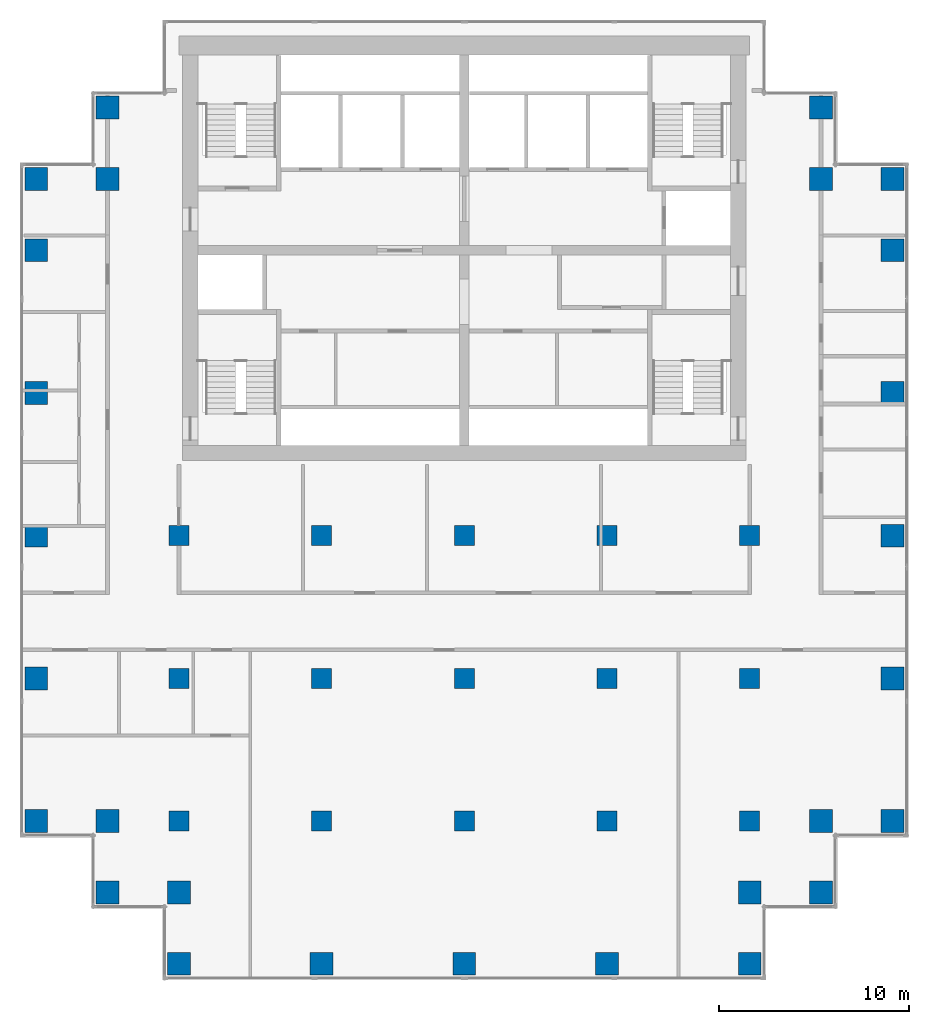
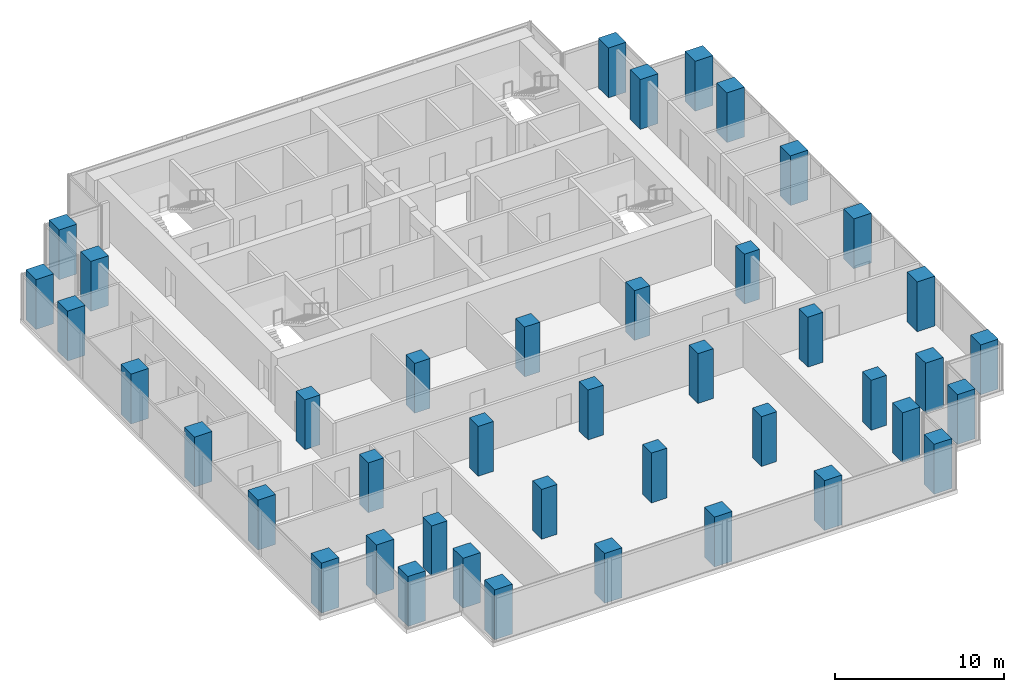
# One storey, part 1 of 10: 42 columns.
"""IFC4 building model written with IfcOpenShell, lengths in metres."""

from ifc_helpers import new_model, si_unit, direction, frame, origin, origin_2d, place, context, subcontext, project, spatial, rectangle, extrude, material, material_profile, profile_set, type_object, element, save


model = new_model("IFC4")

# Units and contexts
model_context = context("Model", 3, precision=1e-05, world=origin(), true_north=direction((0.0, 1.0)))
body_context = subcontext(model_context, "Body", "Model", "MODEL_VIEW")
ifc_project = project(units=[si_unit("LENGTHUNIT", "METRE"), si_unit("AREAUNIT", "SQUARE_METRE"), si_unit("VOLUMEUNIT", "CUBIC_METRE"), si_unit("PLANEANGLEUNIT", "RADIAN"), si_unit("MASSUNIT", "GRAM", prefix="KILO")], contexts=[model_context])

# Site, building, storey
site_placement = place(None, origin())
site = spatial("IfcSite", under=ifc_project, at=site_placement, CompositionType="ELEMENT")
building_placement = place(site_placement, origin())
building = spatial("IfcBuilding", under=site, at=building_placement, Name="Pilkhan Gate Tower", CompositionType="ELEMENT")
storey_placement = place(building_placement, frame((0.0, 0.0, 154.89990234375)))
storey = spatial("IfcBuildingStorey", under=building, at=storey_placement, Name="L39", CompositionType="ELEMENT", Elevation=154.89990234375)

# Columns
ifc_material = material(Name="Concrete C60/75", Category="concrete")
ifc_material_profile_1 = material_profile(ifc_material, rectangle(XDim=1.050048828125, YDim=1.050048828125, at=origin_2d()), Name="RC 1050x1050")
ifc_profile_set_1 = profile_set([ifc_material_profile_1], Name="Concrete C60/75")
column_type_1 = type_object("IfcColumnType", Name="Column C105 RC 1050x1050 C60/75", PredefinedType="COLUMN", material=ifc_profile_set_1)
for number, where, z_axis, x_axis, name in (
    (1, (60.0, 52.5, 0.0), (0.0, 0.0, 1.0), (1.0, 0.0, 0.0), "Column 7/D L39"),
    (2, (60.0, 60.0, 0.0), (0.0, 0.0, 1.0), (1.0, 0.0, 0.0), "Column 7/F L39"),
    (3, (60.0, 67.5, 0.0), (0.0, 0.0, 1.0), (1.0, 0.0, 0.0), "Column 7/H L39"),
    (4, (67.5, 52.5, 0.0), (0.0, 0.0, 1.0), (1.0, 0.0, 0.0), "Column 9/D L39"),
    (5, (67.5, 60.0, 0.0), (0.0, 0.0, 1.0), (1.0, 0.0, 0.0), "Column 9/F L39"),
    (6, (67.5, 67.5, 0.0), (0.0, 0.0, 1.0), (1.0, 0.0, 0.0), "Column 9/H L39"),
    (7, (75.0, 52.5, 0.0), (0.0, 0.0, 1.0), (1.0, 0.0, 0.0), "Column 11/D L39"),
    (8, (75.0, 60.0, 0.0), (0.0, 0.0, 1.0), (1.0, 0.0, 0.0), "Column 11/F L39"),
    (9, (75.0, 67.5, 0.0), (0.0, 0.0, 1.0), (1.0, 0.0, 0.0), "Column 11/H L39"),
    (10, (82.5, 52.5, 0.0), (0.0, 0.0, 1.0), (1.0, 0.0, 0.0), "Column 13/D L39"),
    (11, (82.5, 60.0, 0.0), (0.0, 0.0, 1.0), (1.0, 0.0, 0.0), "Column 13/F L39"),
    (12, (82.5, 67.5, 0.0), (0.0, 0.0, 1.0), (1.0, 0.0, 0.0), "Column 13/H L39"),
    (13, (90.0, 52.5, 0.0), (0.0, 0.0, 1.0), (1.0, 0.0, 0.0), "Column 15/D L39"),
    (14, (90.0, 60.0, 0.0), (0.0, 0.0, 1.0), (1.0, 0.0, 0.0), "Column 15/F L39"),
    (15, (90.0, 67.5, 0.0), (0.0, 0.0, 1.0), (1.0, 0.0, 0.0), "Column 15/H L39"),
):
    element("IfcColumn", number, at=place(storey_placement, frame(where, z_axis=z_axis, x_axis=x_axis)), inside=storey, type_object=column_type_1, Name=name, PredefinedType="COLUMN", context=body_context, shape_type="SweptSolid", body=[
        extrude(rectangle(XDim=1.050048828125, YDim=1.050048828125, at=origin_2d()), origin(), (0.0, 0.0, 1.0), 3.60009765625),
    ])
ifc_material_profile_2 = material_profile(ifc_material, rectangle(XDim=1.199951171875, YDim=1.199951171875, at=origin_2d()), Name="RC 1200x1200")
ifc_profile_set_2 = profile_set([ifc_material_profile_2], Name="Concrete C60/75")
column_type_2 = type_object("IfcColumnType", Name="Column C120 RC 1200x1200 C60/75", PredefinedType="COLUMN", material=ifc_profile_set_2)
for number, where, z_axis, x_axis, name in (
    (16, (52.5, 52.5, 0.0), (0.0, 0.0, 1.0), (1.0, 0.0, 0.0), "Column 5/D L39"),
    (17, (52.5, 60.0, 0.0), (0.0, 0.0, 1.0), (1.0, 0.0, 0.0), "Column 5/F L39"),
    (18, (52.5, 67.5, 0.0), (0.0, 0.0, 1.0), (1.0, 0.0, 0.0), "Column 5/H L39"),
    (19, (52.5, 75.0, 0.0), (0.0, 0.0, 1.0), (1.0, 0.0, 0.0), "Column 5/K L39"),
    (20, (52.5, 82.5, 0.0), (0.0, 0.0, 1.0), (1.0, 0.0, 0.0), "Column 5/M L39"),
    (21, (52.5, 86.25, 0.0), (0.0, 0.0, 1.0), (1.0, 0.0, 0.0), "Column 5/N L39"),
    (22, (56.25, 48.75, 0.0), (0.0, 0.0, 1.0), (1.0, 0.0, 0.0), "Column 6/C L39"),
    (23, (56.25, 52.5, 0.0), (0.0, 0.0, 1.0), (1.0, 0.0, 0.0), "Column 6/D L39"),
    (24, (56.25, 86.25, 0.0), (0.0, 0.0, 1.0), (1.0, 0.0, 0.0), "Column 6/N L39"),
    (25, (56.25, 90.0, 0.0), (0.0, 0.0, 1.0), (1.0, 0.0, 0.0), "Column 6/P L39"),
    (26, (60.0, 45.0, 0.0), (0.0, 0.0, 1.0), (1.0, 0.0, 0.0), "Column 7/B L39"),
    (27, (60.0, 48.75, 0.0), (0.0, 0.0, 1.0), (1.0, 0.0, 0.0), "Column 7/C L39"),
    (28, (67.5, 45.0, 0.0), (0.0, 0.0, 1.0), (1.0, 0.0, 0.0), "Column 9/B L39"),
    (29, (75.0, 45.0, 0.0), (0.0, 0.0, 1.0), (1.0, 0.0, 0.0), "Column 11/B L39"),
    (30, (82.5, 45.0, 0.0), (0.0, 0.0, 1.0), (1.0, 0.0, 0.0), "Column 13/B L39"),
    (31, (90.0, 45.0, 0.0), (0.0, 0.0, 1.0), (1.0, 0.0, 0.0), "Column 15/B L39"),
    (32, (90.0, 48.75, 0.0), (0.0, 0.0, 1.0), (1.0, 0.0, 0.0), "Column 15/C L39"),
    (33, (93.75, 48.75, 0.0), (0.0, 0.0, 1.0), (1.0, 0.0, 0.0), "Column 16/C L39"),
    (34, (93.75, 52.5, 0.0), (0.0, 0.0, 1.0), (1.0, 0.0, 0.0), "Column 16/D L39"),
    (35, (93.75, 86.25, 0.0), (0.0, 0.0, 1.0), (1.0, 0.0, 0.0), "Column 16/N L39"),
    (36, (93.75, 90.0, 0.0), (0.0, 0.0, 1.0), (1.0, 0.0, 0.0), "Column 16/P L39"),
    (37, (97.5, 52.5, 0.0), (0.0, 0.0, 1.0), (1.0, 0.0, 0.0), "Column 17/D L39"),
    (38, (97.5, 60.0, 0.0), (0.0, 0.0, 1.0), (1.0, 0.0, 0.0), "Column 17/F L39"),
    (39, (97.5, 67.5, 0.0), (0.0, 0.0, 1.0), (1.0, 0.0, 0.0), "Column 17/H L39"),
    (40, (97.5, 75.0, 0.0), (0.0, 0.0, 1.0), (1.0, 0.0, 0.0), "Column 17/K L39"),
    (41, (97.5, 82.5, 0.0), (0.0, 0.0, 1.0), (1.0, 0.0, 0.0), "Column 17/M L39"),
    (42, (97.5, 86.25, 0.0), (0.0, 0.0, 1.0), (1.0, 0.0, 0.0), "Column 17/N L39"),
):
    element("IfcColumn", number, at=place(storey_placement, frame(where, z_axis=z_axis, x_axis=x_axis)), inside=storey, type_object=column_type_2, Name=name, PredefinedType="COLUMN", context=body_context, shape_type="SweptSolid", body=[
        extrude(rectangle(XDim=1.199951171875, YDim=1.199951171875, at=origin_2d()), origin(), (0.0, 0.0, 1.0), 3.60009765625),
    ])

save(model, "model.ifc")
